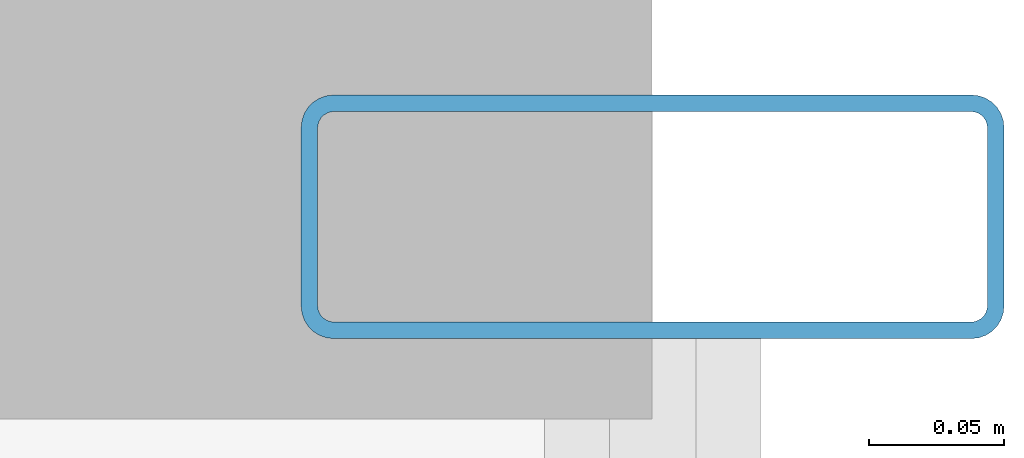
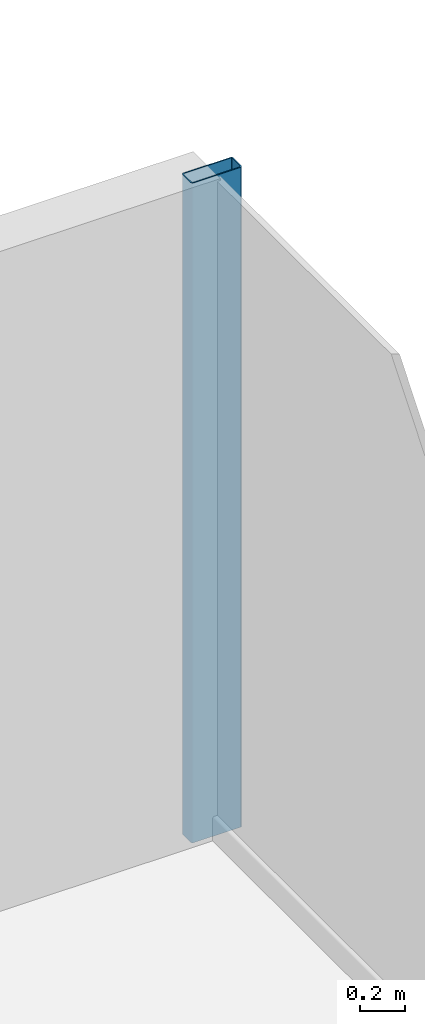
# One storey, part 18 of 26: 1 member, 1 element without a shape of its own.
"""IFC4 building model written with IfcOpenShell, lengths in metres."""

from ifc_helpers import new_model, si_unit, direction, frame, origin, origin_2d, place, context, subcontext, project, spatial, hollow_rectangle, extrude, source, transform, mapped, material, layer, layer_set, material_profile, profile_set, type_object, element, aggregate, save


model = new_model("IFC4")

# Units and contexts
model_context = context("Model", 3, precision=1e-05, world=origin(), true_north=direction((0.0, 1.0)))
body_context = subcontext(model_context, "Body", "Model", "MODEL_VIEW")
ifc_project = project(units=[si_unit("LENGTHUNIT", "METRE"), si_unit("AREAUNIT", "SQUARE_METRE"), si_unit("VOLUMEUNIT", "CUBIC_METRE"), si_unit("PLANEANGLEUNIT", "RADIAN"), si_unit("MASSUNIT", "GRAM", prefix="KILO")], contexts=[model_context])

# Site, building, storey
site_placement = place(None, origin())
site = spatial("IfcSite", under=ifc_project, at=site_placement, CompositionType="ELEMENT")
building_placement = place(site_placement, origin())
building = spatial("IfcBuilding", under=site, at=building_placement, Name="Nefas-Gora Pilgrimage Tower", CompositionType="ELEMENT")
storey_placement = place(building_placement, frame((0.0, 0.0, 63.39990234375)))
storey = spatial("IfcBuildingStorey", under=building, at=storey_placement, Name="L14", CompositionType="ELEMENT", Elevation=63.39990234375)

# Curtain wall, member
ifc_material_1 = material(Name="Dark ceramic-fritted solar-control aluminium-glass curtain wall", Category="aluminium")
ifc_layer = layer(ifc_material_1, 0.219970703125)
ifc_layer_set = layer_set([ifc_layer], Name="Dark ceramic-fritted solar-control aluminium-glass curtain wall")
curtain_wall_type = type_object("IfcCurtainWallType", Name="CW-SYS-2", PredefinedType="NOTDEFINED", material=ifc_layer_set)
curtain_wall_placement = place(storey_placement, origin())
curtain_wall = element("IfcCurtainWall", 1, at=curtain_wall_placement, inside=storey, type_object=curtain_wall_type, Name="L14 Unitised Curtain Wall CW2", PredefinedType="NOTDEFINED")
ifc_material_2 = material(Name="Anodised architectural aluminium", Category="aluminium")
ifc_material_profile = material_profile(ifc_material_2, hollow_rectangle(XDim=0.090087890625, YDim=0.260009765625, WallThickness=0.006103515625, InnerFilletRadius=0.006103515625, OuterFilletRadius=0.011962890625, at=origin_2d()), Name="ALU MULLION 90x260")
ifc_profile_set = profile_set([ifc_material_profile], Name="Anodised architectural aluminium")
member_type = type_object("IfcMemberType", Name="CWM-MUL-2", PredefinedType="MULLION", material=ifc_profile_set)
shared_shape = source(origin(), body_context, "Body", "SweptSolid", [
    extrude(hollow_rectangle(XDim=0.090087890625, YDim=0.260009765625, WallThickness=0.006103515625, InnerFilletRadius=0.006103515625, OuterFilletRadius=0.011962890625, at=origin_2d()), origin(), (0.0, 0.0, 1.0), 3.550048828125),
])
member_placement = place(storey_placement, frame((34.27001953125, 17.574951171875, 0.0), z_axis=(0.0, 0.0, 1.0), x_axis=(0.0, 1.0, 0.0)))
member = element("IfcMember", 2, at=member_placement, type_object=member_type, Name="CW2 Mullion 2", PredefinedType="MULLION", context=body_context, shape_type="MappedRepresentation", body=[
    mapped(shared_shape, transform((0.0, 0.0, 0.0), x_axis=(1.0, 0.0, 0.0), y_axis=(0.0, 1.0, 0.0), z_axis=(0.0, 0.0, 1.0), scale=1.0)),
])
aggregate(curtain_wall, [member])

save(model, "model.ifc")
